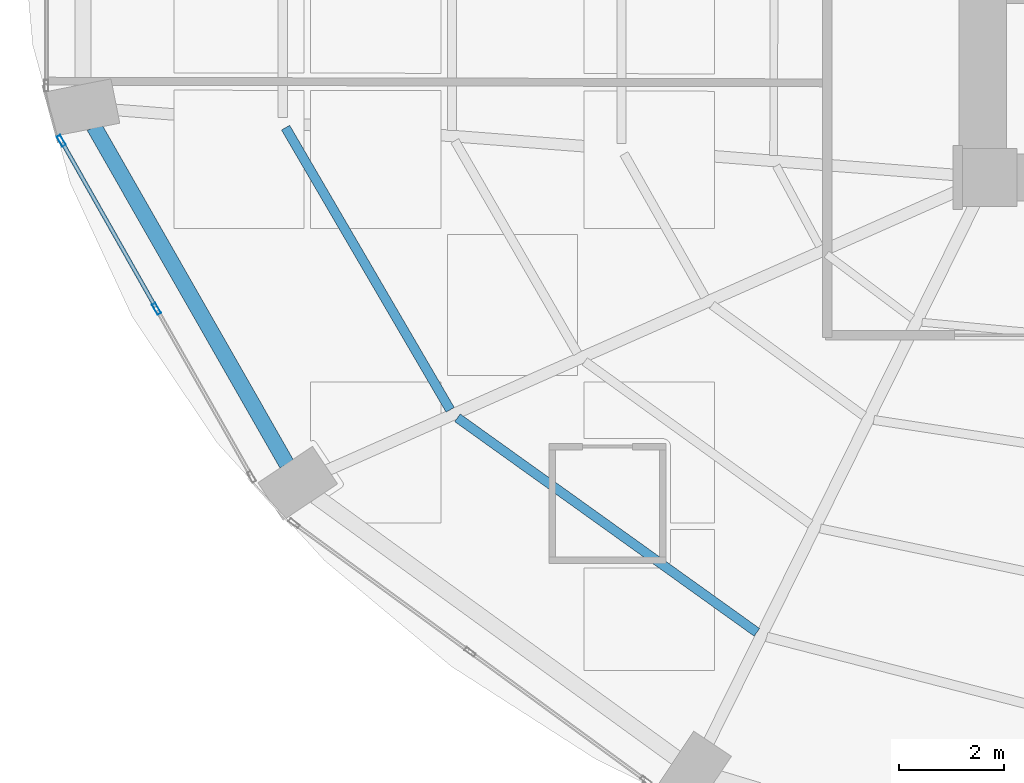
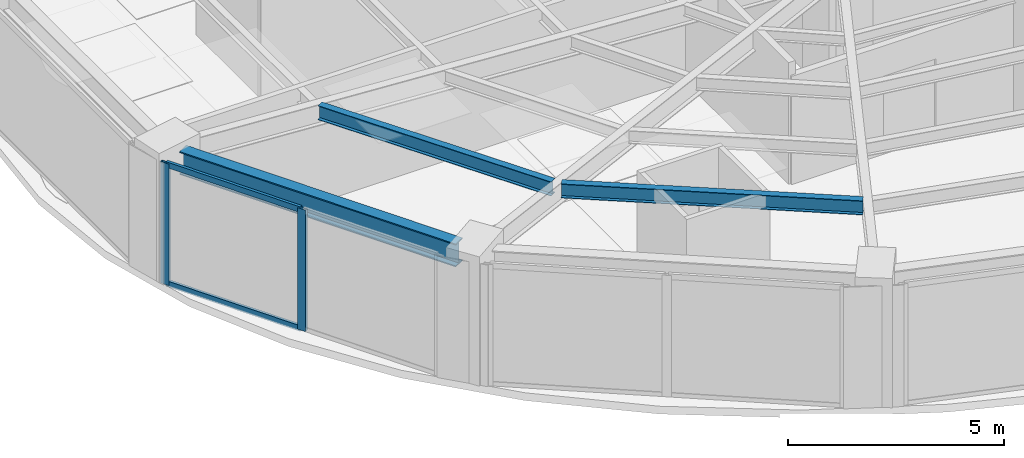
# One storey, part 3 of 25: 4 members, 3 beams, 1 element without a shape of its own.
"""IFC4 building model written with IfcOpenShell, lengths in metres."""

from ifc_helpers import new_model, si_unit, direction, frame, origin, origin_2d, place, context, subcontext, project, spatial, hollow_rectangle, i_section, extrude, material, layer, layer_set, material_profile, profile_set, type_object, element, aggregate, save


model = new_model("IFC4")

# Units and contexts
model_context = context("Model", 3, precision=1e-05, world=origin(), true_north=direction((0.0, 1.0)))
body_context = subcontext(model_context, "Body", "Model", "MODEL_VIEW")
ifc_project = project(units=[si_unit("LENGTHUNIT", "METRE"), si_unit("AREAUNIT", "SQUARE_METRE"), si_unit("VOLUMEUNIT", "CUBIC_METRE"), si_unit("PLANEANGLEUNIT", "RADIAN"), si_unit("MASSUNIT", "GRAM", prefix="KILO")], contexts=[model_context])

# Site, building, storey
site_placement = place(None, origin())
site = spatial("IfcSite", under=ifc_project, at=site_placement, CompositionType="ELEMENT")
building_placement = place(site_placement, origin())
building = spatial("IfcBuilding", under=site, at=building_placement, Name="Lazwardi Medical Tower", CompositionType="ELEMENT")
storey_placement = place(building_placement, frame((0.0, 0.0, 28.847900390625)))
storey = spatial("IfcBuildingStorey", under=building, at=storey_placement, Name="L06", CompositionType="ELEMENT", Elevation=28.847900390625)

# Beams
ifc_material_1 = material(Name="Steel S355", Category="steel")
ifc_material_profile_1 = material_profile(ifc_material_1, i_section(OverallWidth=0.300048828125, OverallDepth=0.64990234375, WebThickness=0.01611328125, FlangeThickness=0.031005859375, at=origin_2d()), Name="HEB 650")
ifc_profile_set_1 = profile_set([ifc_material_profile_1], Name="Steel S355")
beam_type_1 = type_object("IfcBeamType", Name="BM-RB-Z1", PredefinedType="BEAM", material=ifc_profile_set_1)
beam_1_placement = place(storey_placement, frame((9.408203125, 21.36767578125, 3.10302734375), z_axis=(0.49581512241, -0.868428099724, 0.0), x_axis=(0.868428099724, 0.49581512241, 0.0)))
element("IfcBeam", 1, at=beam_1_placement, inside=storey, type_object=beam_type_1, Name="Ring beam RB-02 B13 L06", PredefinedType="BEAM", context=body_context, shape_type="SweptSolid", body=[
    extrude(i_section(OverallWidth=0.300048828125, OverallDepth=0.64990234375, WebThickness=0.01611328125, FlangeThickness=0.031005859375, at=origin_2d()), origin(), (0.0, 0.0, 1.0), 7.389404296875),
])
ifc_material_profile_2 = material_profile(ifc_material_1, i_section(OverallWidth=0.179931640625, OverallDepth=0.39990234375, WebThickness=0.008544921875, FlangeThickness=0.013427734375, at=origin_2d()), Name="IPE 400")
ifc_profile_set_2 = profile_set([ifc_material_profile_2], Name="Steel S355")
beam_type_2 = type_object("IfcBeamType", Name="BM-SJ-01", PredefinedType="JOIST", material=ifc_profile_set_2)
beam_2_placement = place(storey_placement, frame((13.048828125, 21.34765625, 3.22802734375), z_axis=(0.503846579557, -0.863793160582, 0.0), x_axis=(0.863793160582, 0.503846579557, 0.0)))
element("IfcBeam", 2, at=beam_2_placement, inside=storey, type_object=beam_type_2, Name="Secondary joist SJ-01 R1 B13 L06", PredefinedType="JOIST", context=body_context, shape_type="SweptSolid", body=[
    extrude(i_section(OverallWidth=0.179931640625, OverallDepth=0.39990234375, WebThickness=0.008544921875, FlangeThickness=0.013427734375, at=origin_2d()), origin(), (0.0, 0.0, 1.0), 6.20947265625),
])
beam_3_placement = place(storey_placement, frame((16.31591796875, 15.83203125, 3.22802734375), z_axis=(0.812901036873, -0.582401840872, 0.0), x_axis=(0.582401840872, 0.812901036873, 0.0)))
element("IfcBeam", 3, at=beam_3_placement, inside=storey, type_object=beam_type_2, Name="Secondary joist SJ-01 R1 B14 L06", PredefinedType="JOIST", context=body_context, shape_type="SweptSolid", body=[
    extrude(i_section(OverallWidth=0.179931640625, OverallDepth=0.39990234375, WebThickness=0.008544921875, FlangeThickness=0.013427734375, at=origin_2d()), origin(), (0.0, 0.0, 1.0), 7.002197265625),
])

# Curtain wall, members
ifc_material_2 = material(Name="Anodised bronze aluminium and solar control glazing", Category="aluminium")
ifc_layer = layer(ifc_material_2, 0.199951171875)
ifc_layer_set = layer_set([ifc_layer], Name="Anodised bronze aluminium and solar control glazing")
curtain_wall_type = type_object("IfcCurtainWallType", Name="CW-SYS-02", PredefinedType="NOTDEFINED", material=ifc_layer_set)
curtain_wall_placement = place(storey_placement, origin())
curtain_wall = element("IfcCurtainWall", 4, at=curtain_wall_placement, inside=storey, type_object=curtain_wall_type, Name="L06 Unitised bronze curtain wall CW-02", PredefinedType="NOTDEFINED")
ifc_material_3 = material(Name="Anodised bronze aluminium", Category="aluminium")
ifc_material_profile_3 = material_profile(ifc_material_3, hollow_rectangle(XDim=0.074951171875, YDim=0.219970703125, WallThickness=0.00390625, at=origin_2d()), Name="ALU-MULLION 220x75x4")
ifc_profile_set_3 = profile_set([ifc_material_profile_3], Name="Anodised bronze aluminium")
member_type_1 = type_object("IfcMemberType", Name="CW-MUL-01", PredefinedType="MULLION", material=ifc_profile_set_3)
member_1_placement = place(storey_placement, frame((8.785888671875, 21.09765625, 0.0), z_axis=(0.0, 0.0, 1.0), x_axis=(0.870111838823, 0.492854327303, 0.0)))
member_1 = element("IfcMember", 5, at=member_1_placement, type_object=member_type_1, Name="CW-02 mullion 1", PredefinedType="MULLION", context=body_context, shape_type="SweptSolid", body=[
    extrude(hollow_rectangle(XDim=0.074951171875, YDim=0.219970703125, WallThickness=0.00390625, at=origin_2d()), origin(), (0.0, 0.0, 1.0), 3.427978515625),
])
member_2_placement = place(storey_placement, frame((10.5947265625, 17.904541015625, 0.0), z_axis=(0.0, 0.0, 1.0), x_axis=(0.870111838823, 0.492854327303, 0.0)))
member_2 = element("IfcMember", 6, at=member_2_placement, type_object=member_type_1, Name="CW-02 mullion 2", PredefinedType="MULLION", context=body_context, shape_type="SweptSolid", body=[
    extrude(hollow_rectangle(XDim=0.074951171875, YDim=0.219970703125, WallThickness=0.00390625, at=origin_2d()), origin(), (0.0, 0.0, 1.0), 3.427978515625),
])
ifc_material_profile_4 = material_profile(ifc_material_3, hollow_rectangle(XDim=0.074951171875, YDim=0.159912109375, WallThickness=0.00390625, at=origin_2d()), Name="ALU-TRANSOM 160x75x4")
ifc_profile_set_4 = profile_set([ifc_material_profile_4], Name="Anodised bronze aluminium")
member_type_2 = type_object("IfcMemberType", Name="CW-TRN-01", PredefinedType="USERDEFINED", material=ifc_profile_set_4)
member_3_placement = place(storey_placement, frame((8.804443359375, 21.06494140625, 0.03759765625), z_axis=(0.492880614687, -0.870096948429, 0.0), x_axis=(0.870096948429, 0.492880614687, 0.0)))
member_3 = element("IfcMember", 7, at=member_3_placement, type_object=member_type_2, Name="CW-02 transom 1.1", ObjectType="TRANSOM", PredefinedType="USERDEFINED", context=body_context, shape_type="SweptSolid", body=[
    extrude(hollow_rectangle(XDim=0.074951171875, YDim=0.159912109375, WallThickness=0.00390625, at=origin_2d()), origin(), (0.0, 0.0, 1.0), 3.5947265625),
])
member_4_placement = place(storey_placement, frame((8.804443359375, 21.06494140625, 3.390625), z_axis=(0.492880614687, -0.870096948429, 0.0), x_axis=(0.870096948429, 0.492880614687, 0.0)))
member_4 = element("IfcMember", 8, at=member_4_placement, type_object=member_type_2, Name="CW-02 transom 1.2", ObjectType="TRANSOM", PredefinedType="USERDEFINED", context=body_context, shape_type="SweptSolid", body=[
    extrude(hollow_rectangle(XDim=0.074951171875, YDim=0.159912109375, WallThickness=0.00390625, at=origin_2d()), origin(), (0.0, 0.0, 1.0), 3.5947265625),
])
aggregate(curtain_wall, [member_1, member_2, member_3, member_4])

save(model, "model.ifc")
